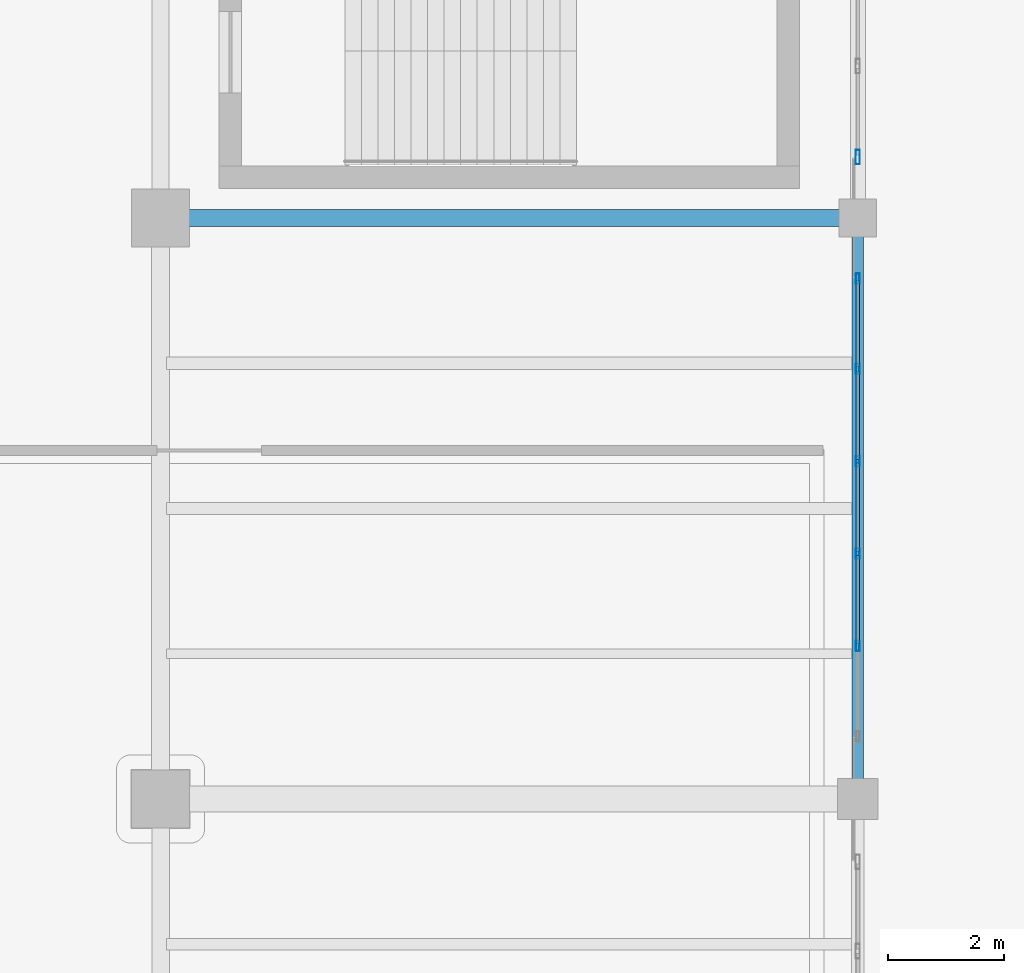
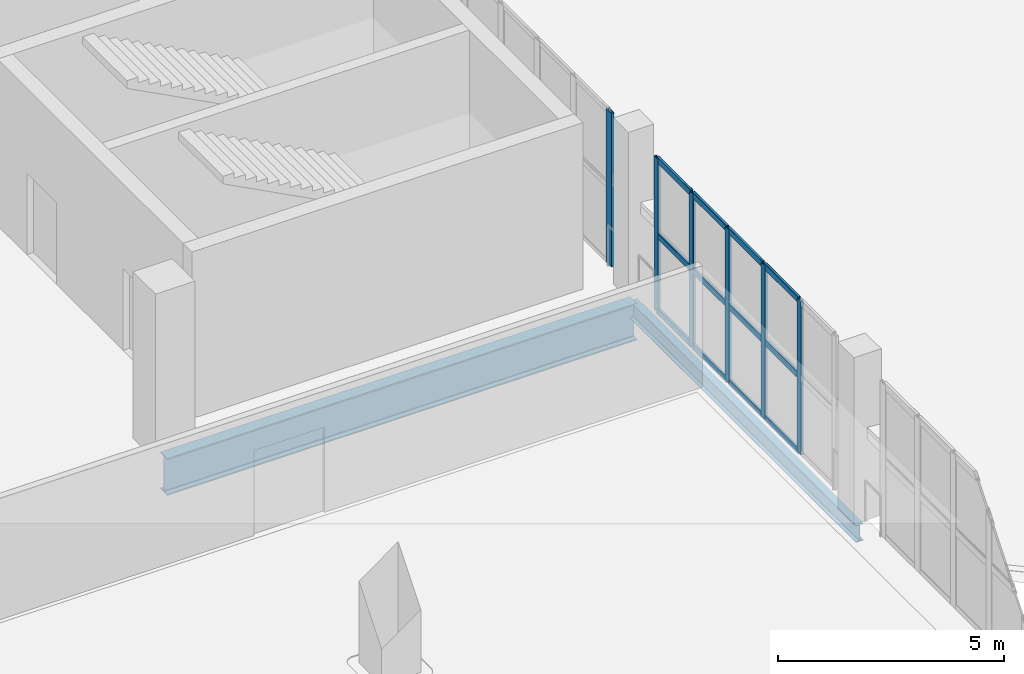
# One storey, part 57 of 108: 18 members, 2 beams, 2 elements without a shape of their own.
"""IFC4 building model written with IfcOpenShell, lengths in metres."""

from ifc_helpers import new_model, si_unit, direction, frame, origin, origin_2d, place, context, subcontext, project, spatial, hollow_rectangle, i_section, extrude, material, layer, layer_set, material_profile, profile_set, type_object, element, aggregate, save


model = new_model("IFC4")

# Units and contexts
model_context = context("Model", 3, precision=1e-05, world=origin(), true_north=direction((0.0, 1.0)))
body_context = subcontext(model_context, "Body", "Model", "MODEL_VIEW")
ifc_project = project(units=[si_unit("LENGTHUNIT", "METRE"), si_unit("AREAUNIT", "SQUARE_METRE"), si_unit("VOLUMEUNIT", "CUBIC_METRE"), si_unit("PLANEANGLEUNIT", "RADIAN"), si_unit("MASSUNIT", "GRAM", prefix="KILO")], contexts=[model_context])

# Site, building, storey
site_placement = place(None, origin())
site = spatial("IfcSite", under=ifc_project, at=site_placement, CompositionType="ELEMENT")
building_placement = place(site_placement, origin())
building = spatial("IfcBuilding", under=site, at=building_placement, Name="Brinegate Civic Arena", CompositionType="ELEMENT")
storey_placement = place(building_placement, frame((0.0, 0.0, 10.199951171875)))
storey = spatial("IfcBuildingStorey", under=building, at=storey_placement, Name="L02", CompositionType="ELEMENT", Elevation=10.199951171875)

# Curtain wall, members
ifc_material_1 = material(Name="Marine grade aluminium", Category="aluminium")
ifc_layer = layer(ifc_material_1, 0.199951171875, Name="Marine grade aluminium")
ifc_layer_set = layer_set([ifc_layer], Name="Marine grade aluminium")
curtain_wall_type = type_object("IfcCurtainWallType", Name="CW-BOWL-GLAZED-01", PredefinedType="USERDEFINED", material=ifc_layer_set)
curtain_wall_1_placement = place(storey_placement, origin())
curtain_wall_1 = element("IfcCurtainWall", 1, at=curtain_wall_1_placement, inside=storey, type_object=curtain_wall_type, Name="Curtain Wall CWA-084", ObjectType="GLAZED CURTAIN WALL", PredefinedType="USERDEFINED")
ifc_material_profile_1 = material_profile(ifc_material_1, hollow_rectangle(XDim=0.06494140625, YDim=0.179931640625, WallThickness=0.0048828125, InnerFilletRadius=0.00390625, OuterFilletRadius=0.008056640625, at=origin_2d()), Name="MUL65X180")
ifc_profile_set_1 = profile_set([ifc_material_profile_1], Name="Marine grade aluminium")
member_type_1 = type_object("IfcMemberType", Name="CW-MULLION-65X180", PredefinedType="MULLION", material=ifc_profile_set_1)
member_1_placement = place(storey_placement, frame((168.0, 64.634033203125, 0.0), z_axis=(0.0, 0.0, 1.0), x_axis=(-1.0, 0.0, 0.0)))
member_1 = element("IfcMember", 2, at=member_1_placement, type_object=member_type_1, Name="CWA-084 mullion 2", PredefinedType="MULLION", context=body_context, shape_type="SweptSolid", body=[
    extrude(hollow_rectangle(XDim=0.06494140625, YDim=0.179931640625, WallThickness=0.0048828125, InnerFilletRadius=0.00390625, OuterFilletRadius=0.008056640625, at=origin_2d()), origin(), (0.0, 0.0, 1.0), 4.150146484375),
])
member_2_placement = place(storey_placement, frame((168.0, 66.222900390625, 0.0), z_axis=(0.0, 0.0, 1.0), x_axis=(-1.0, 0.0, 0.0)))
member_2 = element("IfcMember", 3, at=member_2_placement, type_object=member_type_1, Name="CWA-084 mullion 3", PredefinedType="MULLION", context=body_context, shape_type="SweptSolid", body=[
    extrude(hollow_rectangle(XDim=0.06494140625, YDim=0.179931640625, WallThickness=0.0048828125, InnerFilletRadius=0.00390625, OuterFilletRadius=0.008056640625, at=origin_2d()), origin(), (0.0, 0.0, 1.0), 4.150146484375),
])
member_3_placement = place(storey_placement, frame((168.0, 67.81201171875, 0.0), z_axis=(0.0, 0.0, 1.0), x_axis=(-1.0, 0.0, 0.0)))
member_3 = element("IfcMember", 4, at=member_3_placement, type_object=member_type_1, Name="CWA-084 mullion 4", PredefinedType="MULLION", context=body_context, shape_type="SweptSolid", body=[
    extrude(hollow_rectangle(XDim=0.06494140625, YDim=0.179931640625, WallThickness=0.0048828125, InnerFilletRadius=0.00390625, OuterFilletRadius=0.008056640625, at=origin_2d()), origin(), (0.0, 0.0, 1.0), 4.150146484375),
])
member_4_placement = place(storey_placement, frame((168.0, 69.40087890625, 0.0), z_axis=(0.0, 0.0, 1.0), x_axis=(-1.0, 0.0, 0.0)))
member_4 = element("IfcMember", 5, at=member_4_placement, type_object=member_type_1, Name="CWA-084 mullion 5", PredefinedType="MULLION", context=body_context, shape_type="SweptSolid", body=[
    extrude(hollow_rectangle(XDim=0.06494140625, YDim=0.179931640625, WallThickness=0.0048828125, InnerFilletRadius=0.00390625, OuterFilletRadius=0.008056640625, at=origin_2d()), origin(), (0.0, 0.0, 1.0), 4.150146484375),
])
member_5_placement = place(storey_placement, frame((168.0, 70.95751953125, 0.0), z_axis=(0.0, 0.0, 1.0), x_axis=(-1.0, 0.0, 0.0)))
member_5 = element("IfcMember", 6, at=member_5_placement, type_object=member_type_1, Name="CWA-084 mullion 6", PredefinedType="MULLION", context=body_context, shape_type="SweptSolid", body=[
    extrude(hollow_rectangle(XDim=0.06494140625, YDim=0.179931640625, WallThickness=0.0048828125, InnerFilletRadius=0.00390625, OuterFilletRadius=0.008056640625, at=origin_2d()), origin(), (0.0, 0.0, 1.0), 4.150146484375),
])

# Curtain wall, member
curtain_wall_2_placement = place(storey_placement, origin())
curtain_wall_2 = element("IfcCurtainWall", 7, at=curtain_wall_2_placement, inside=storey, type_object=curtain_wall_type, Name="Curtain Wall CWA-086", ObjectType="GLAZED CURTAIN WALL", PredefinedType="USERDEFINED")
ifc_material_profile_2 = material_profile(ifc_material_1, hollow_rectangle(XDim=0.074951171875, YDim=0.25, WallThickness=0.006103515625, InnerFilletRadius=0.00390625, OuterFilletRadius=0.008056640625, at=origin_2d()), Name="MUL75X250")
ifc_profile_set_2 = profile_set([ifc_material_profile_2], Name="Marine grade aluminium")
member_type_2 = type_object("IfcMemberType", Name="CW-MULLION-75X250", PredefinedType="MULLION", material=ifc_profile_set_2)
member_6_placement = place(storey_placement, frame((168.0, 73.047607421875, 0.0), z_axis=(0.0, 0.0, 1.0), x_axis=(-1.0, 0.0, 0.0)))
member_6 = element("IfcMember", 8, at=member_6_placement, type_object=member_type_2, Name="CWA-086 mullion 1", PredefinedType="MULLION", context=body_context, shape_type="SweptSolid", body=[
    extrude(hollow_rectangle(XDim=0.074951171875, YDim=0.25, WallThickness=0.006103515625, InnerFilletRadius=0.00390625, OuterFilletRadius=0.008056640625, at=origin_2d()), origin(), (0.0, 0.0, 1.0), 4.150146484375),
])
aggregate(curtain_wall_2, [member_6])

# Member
ifc_material_profile_3 = material_profile(ifc_material_1, hollow_rectangle(XDim=0.06494140625, YDim=0.1650390625, WallThickness=0.0048828125, InnerFilletRadius=0.00390625, OuterFilletRadius=0.008056640625, at=origin_2d()), Name="TRN65X165")
ifc_profile_set_3 = profile_set([ifc_material_profile_3], Name="Marine grade aluminium")
member_type_3 = type_object("IfcMemberType", Name="CW-TRANSOM-65X165", PredefinedType="USERDEFINED", material=ifc_profile_set_3)
member_7_placement = place(storey_placement, frame((168.0, 64.66650390625, 0.032470703125), z_axis=(0.0, 1.0, 0.0), x_axis=(-1.0, 0.0, 0.0)))
member_7 = element("IfcMember", 9, at=member_7_placement, type_object=member_type_3, Name="CWA-084 transom 2.1", ObjectType="TRANSOM", PredefinedType="USERDEFINED", context=body_context, shape_type="SweptSolid", body=[
    extrude(hollow_rectangle(XDim=0.06494140625, YDim=0.1650390625, WallThickness=0.0048828125, InnerFilletRadius=0.00390625, OuterFilletRadius=0.008056640625, at=origin_2d()), origin(), (0.0, 0.0, 1.0), 1.52392578125),
])

member_8_placement = place(storey_placement, frame((168.0, 64.66650390625, 2.074951171875), z_axis=(0.0, 1.0, 0.0), x_axis=(-1.0, 0.0, 0.0)))
member_8 = element("IfcMember", 10, at=member_8_placement, type_object=member_type_3, Name="CWA-084 transom 2.2", ObjectType="TRANSOM", PredefinedType="USERDEFINED", context=body_context, shape_type="SweptSolid", body=[
    extrude(hollow_rectangle(XDim=0.06494140625, YDim=0.1650390625, WallThickness=0.0048828125, InnerFilletRadius=0.00390625, OuterFilletRadius=0.008056640625, at=origin_2d()), origin(), (0.0, 0.0, 1.0), 1.52392578125),
])

member_9_placement = place(storey_placement, frame((168.0, 64.66650390625, 4.117431640625), z_axis=(0.0, 1.0, 0.0), x_axis=(-1.0, 0.0, 0.0)))
member_9 = element("IfcMember", 11, at=member_9_placement, type_object=member_type_3, Name="CWA-084 transom 2.3", ObjectType="TRANSOM", PredefinedType="USERDEFINED", context=body_context, shape_type="SweptSolid", body=[
    extrude(hollow_rectangle(XDim=0.06494140625, YDim=0.1650390625, WallThickness=0.0048828125, InnerFilletRadius=0.00390625, OuterFilletRadius=0.008056640625, at=origin_2d()), origin(), (0.0, 0.0, 1.0), 1.52392578125),
])

member_10_placement = place(storey_placement, frame((168.0, 66.255615234375, 0.032470703125), z_axis=(0.0, 1.0, 0.0), x_axis=(-1.0, 0.0, 0.0)))
member_10 = element("IfcMember", 12, at=member_10_placement, type_object=member_type_3, Name="CWA-084 transom 3.1", ObjectType="TRANSOM", PredefinedType="USERDEFINED", context=body_context, shape_type="SweptSolid", body=[
    extrude(hollow_rectangle(XDim=0.06494140625, YDim=0.1650390625, WallThickness=0.0048828125, InnerFilletRadius=0.00390625, OuterFilletRadius=0.008056640625, at=origin_2d()), origin(), (0.0, 0.0, 1.0), 1.52392578125),
])

member_11_placement = place(storey_placement, frame((168.0, 66.255615234375, 2.074951171875), z_axis=(0.0, 1.0, 0.0), x_axis=(-1.0, 0.0, 0.0)))
member_11 = element("IfcMember", 13, at=member_11_placement, type_object=member_type_3, Name="CWA-084 transom 3.2", ObjectType="TRANSOM", PredefinedType="USERDEFINED", context=body_context, shape_type="SweptSolid", body=[
    extrude(hollow_rectangle(XDim=0.06494140625, YDim=0.1650390625, WallThickness=0.0048828125, InnerFilletRadius=0.00390625, OuterFilletRadius=0.008056640625, at=origin_2d()), origin(), (0.0, 0.0, 1.0), 1.52392578125),
])

member_12_placement = place(storey_placement, frame((168.0, 66.255615234375, 4.117431640625), z_axis=(0.0, 1.0, 0.0), x_axis=(-1.0, 0.0, 0.0)))
member_12 = element("IfcMember", 14, at=member_12_placement, type_object=member_type_3, Name="CWA-084 transom 3.3", ObjectType="TRANSOM", PredefinedType="USERDEFINED", context=body_context, shape_type="SweptSolid", body=[
    extrude(hollow_rectangle(XDim=0.06494140625, YDim=0.1650390625, WallThickness=0.0048828125, InnerFilletRadius=0.00390625, OuterFilletRadius=0.008056640625, at=origin_2d()), origin(), (0.0, 0.0, 1.0), 1.52392578125),
])

member_13_placement = place(storey_placement, frame((168.0, 67.844482421875, 0.032470703125), z_axis=(0.0, 1.0, 0.0), x_axis=(-1.0, 0.0, 0.0)))
member_13 = element("IfcMember", 15, at=member_13_placement, type_object=member_type_3, Name="CWA-084 transom 4.1", ObjectType="TRANSOM", PredefinedType="USERDEFINED", context=body_context, shape_type="SweptSolid", body=[
    extrude(hollow_rectangle(XDim=0.06494140625, YDim=0.1650390625, WallThickness=0.0048828125, InnerFilletRadius=0.00390625, OuterFilletRadius=0.008056640625, at=origin_2d()), origin(), (0.0, 0.0, 1.0), 1.52392578125),
])

member_14_placement = place(storey_placement, frame((168.0, 67.844482421875, 2.074951171875), z_axis=(0.0, 1.0, 0.0), x_axis=(-1.0, 0.0, 0.0)))
member_14 = element("IfcMember", 16, at=member_14_placement, type_object=member_type_3, Name="CWA-084 transom 4.2", ObjectType="TRANSOM", PredefinedType="USERDEFINED", context=body_context, shape_type="SweptSolid", body=[
    extrude(hollow_rectangle(XDim=0.06494140625, YDim=0.1650390625, WallThickness=0.0048828125, InnerFilletRadius=0.00390625, OuterFilletRadius=0.008056640625, at=origin_2d()), origin(), (0.0, 0.0, 1.0), 1.52392578125),
])

member_15_placement = place(storey_placement, frame((168.0, 67.844482421875, 4.117431640625), z_axis=(0.0, 1.0, 0.0), x_axis=(-1.0, 0.0, 0.0)))
member_15 = element("IfcMember", 17, at=member_15_placement, type_object=member_type_3, Name="CWA-084 transom 4.3", ObjectType="TRANSOM", PredefinedType="USERDEFINED", context=body_context, shape_type="SweptSolid", body=[
    extrude(hollow_rectangle(XDim=0.06494140625, YDim=0.1650390625, WallThickness=0.0048828125, InnerFilletRadius=0.00390625, OuterFilletRadius=0.008056640625, at=origin_2d()), origin(), (0.0, 0.0, 1.0), 1.52392578125),
])

member_16_placement = place(storey_placement, frame((168.0, 69.43359375, 0.032470703125), z_axis=(0.0, 1.0, 0.0), x_axis=(-1.0, 0.0, 0.0)))
member_16 = element("IfcMember", 18, at=member_16_placement, type_object=member_type_3, Name="CWA-084 transom 5.1", ObjectType="TRANSOM", PredefinedType="USERDEFINED", context=body_context, shape_type="SweptSolid", body=[
    extrude(hollow_rectangle(XDim=0.06494140625, YDim=0.1650390625, WallThickness=0.0048828125, InnerFilletRadius=0.00390625, OuterFilletRadius=0.008056640625, at=origin_2d()), origin(), (0.0, 0.0, 1.0), 1.491455078125),
])

member_17_placement = place(storey_placement, frame((168.0, 69.43359375, 2.074951171875), z_axis=(0.0, 1.0, 0.0), x_axis=(-1.0, 0.0, 0.0)))
member_17 = element("IfcMember", 19, at=member_17_placement, type_object=member_type_3, Name="CWA-084 transom 5.2", ObjectType="TRANSOM", PredefinedType="USERDEFINED", context=body_context, shape_type="SweptSolid", body=[
    extrude(hollow_rectangle(XDim=0.06494140625, YDim=0.1650390625, WallThickness=0.0048828125, InnerFilletRadius=0.00390625, OuterFilletRadius=0.008056640625, at=origin_2d()), origin(), (0.0, 0.0, 1.0), 1.491455078125),
])

member_18_placement = place(storey_placement, frame((168.0, 69.43359375, 4.117431640625), z_axis=(0.0, 1.0, 0.0), x_axis=(-1.0, 0.0, 0.0)))
member_18 = element("IfcMember", 20, at=member_18_placement, type_object=member_type_3, Name="CWA-084 transom 5.3", ObjectType="TRANSOM", PredefinedType="USERDEFINED", context=body_context, shape_type="SweptSolid", body=[
    extrude(hollow_rectangle(XDim=0.06494140625, YDim=0.1650390625, WallThickness=0.0048828125, InnerFilletRadius=0.00390625, OuterFilletRadius=0.008056640625, at=origin_2d()), origin(), (0.0, 0.0, 1.0), 1.491455078125),
])

aggregate(curtain_wall_1, [member_1, member_2, member_3, member_4, member_5, member_7, member_8, member_9, member_10, member_11, member_12, member_13, member_14, member_15, member_16, member_17, member_18])

# Beams
ifc_material_2 = material(Name="Steel S355", Category="steel")
ifc_material_profile_4 = material_profile(ifc_material_2, i_section(OverallWidth=0.300048828125, OverallDepth=1.0, WebThickness=0.01904296875, FlangeThickness=0.031982421875, FilletRadius=0.02392578125, at=origin_2d()), Name="W1000X321")
ifc_profile_set_4 = profile_set([ifc_material_profile_4], Name="Steel S355")
beam_type_1 = type_object("IfcBeamType", Name="GIRDER-W1000X321", PredefinedType="BEAM", material=ifc_profile_set_4)
beam_1_placement = place(storey_placement, frame((156.0, 72.0, -0.829833984375), z_axis=(1.0, 0.0, 0.0), x_axis=(0.0, 1.0, 0.0)))
element("IfcBeam", 21, at=beam_1_placement, inside=storey, type_object=beam_type_1, Name="Floor Girder BM-L02-GX-13-07", PredefinedType="BEAM", context=body_context, shape_type="SweptSolid", body=[
    extrude(i_section(OverallWidth=0.300048828125, OverallDepth=1.0, WebThickness=0.01904296875, FlangeThickness=0.031982421875, FilletRadius=0.02392578125, at=origin_2d()), origin(), (0.0, 0.0, 1.0), 12.0),
])
ifc_material_profile_5 = material_profile(ifc_material_2, i_section(OverallWidth=0.193115234375, OverallDepth=0.466064453125, WebThickness=0.010986328125, FlangeThickness=0.01904296875, FilletRadius=0.014892578125, at=origin_2d()), Name="W460X97")
ifc_profile_set_5 = profile_set([ifc_material_profile_5], Name="Steel S355")
beam_type_2 = type_object("IfcBeamType", Name="SPANDREL-W460X97", PredefinedType="SPANDREL", material=ifc_profile_set_5)
beam_2_placement = place(storey_placement, frame((168.0, 62.0, -0.56298828125), z_axis=(0.0, 1.0, 0.0), x_axis=(-1.0, 0.0, 0.0)))
element("IfcBeam", 22, at=beam_2_placement, inside=storey, type_object=beam_type_2, Name="Floor Girder BM-L02-GY-14-06", PredefinedType="SPANDREL", context=body_context, shape_type="SweptSolid", body=[
    extrude(i_section(OverallWidth=0.193115234375, OverallDepth=0.466064453125, WebThickness=0.010986328125, FlangeThickness=0.01904296875, FilletRadius=0.014892578125, at=origin_2d()), origin(), (0.0, 0.0, 1.0), 10.0),
])

save(model, "model.ifc")
